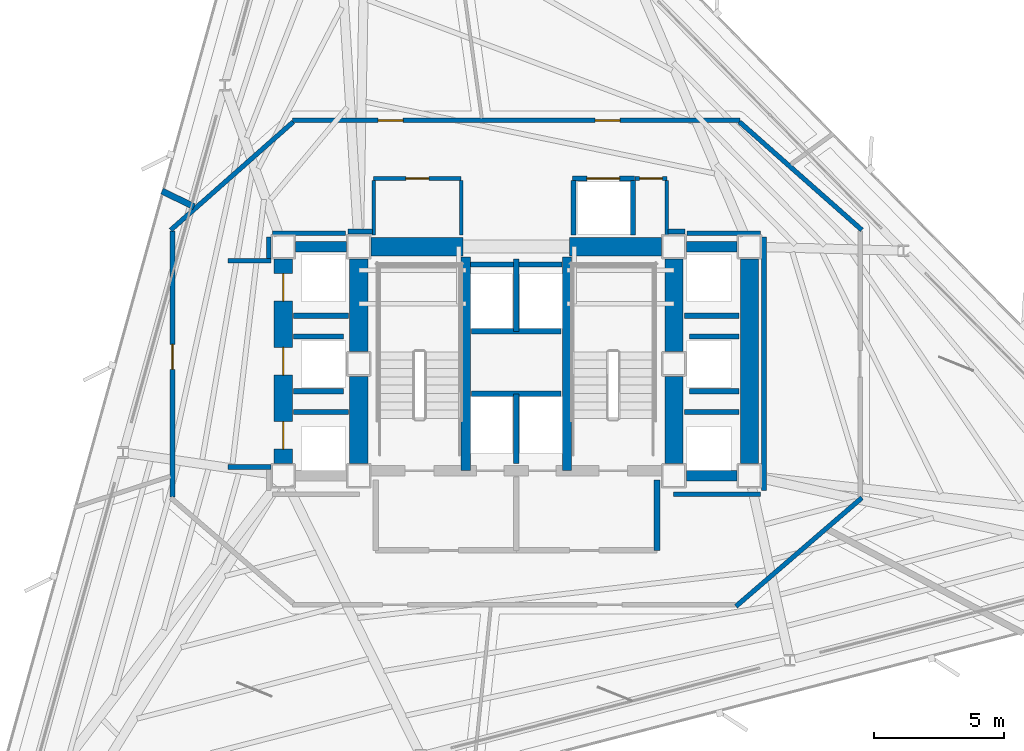
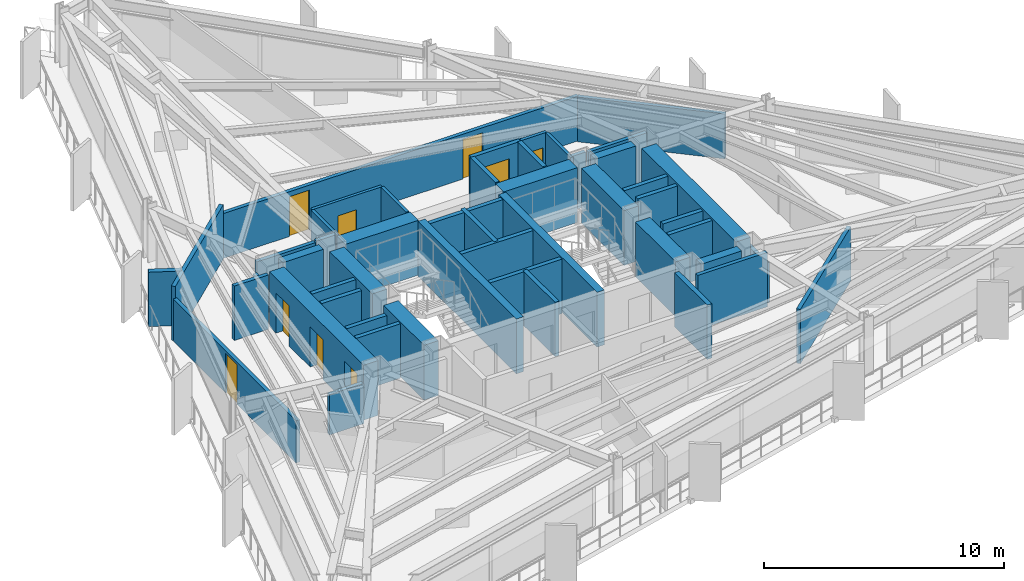
# One storey, part 7 of 11: 50 walls, 9 doors, 9 openings.
"""IFC4 building model written with IfcOpenShell, lengths in metres."""

from ifc_helpers import new_model, si_unit, direction, frame, frame_2d, origin, place, context, subcontext, project, spatial, rectangle, extrude, material, layer, layer_set, type_object, element, fill, save


model = new_model("IFC4")

# Units and contexts
model_context = context("Model", 3, precision=1e-05, world=origin(), true_north=direction((0.0, 1.0)))
body_context = subcontext(model_context, "Body", "Model", "MODEL_VIEW")
ifc_project = project(units=[si_unit("LENGTHUNIT", "METRE"), si_unit("AREAUNIT", "SQUARE_METRE"), si_unit("VOLUMEUNIT", "CUBIC_METRE"), si_unit("PLANEANGLEUNIT", "RADIAN"), si_unit("MASSUNIT", "GRAM", prefix="KILO")], contexts=[model_context])

# Site, building, storey
site_placement = place(None, origin())
site = spatial("IfcSite", under=ifc_project, at=site_placement, CompositionType="ELEMENT")
building_placement = place(site_placement, origin())
building = spatial("IfcBuilding", under=site, at=building_placement, Name="Rocaltana Carrier Exchange", CompositionType="ELEMENT")
storey_placement = place(building_placement, frame((0.0, 0.0, 85.60009765625)))
storey = spatial("IfcBuildingStorey", under=building, at=storey_placement, Name="L26", CompositionType="ELEMENT", Elevation=85.60009765625)

# Walls
ifc_material_1 = material(Name="Concrete C50/60", Category="concrete")
ifc_layer_1 = layer(ifc_material_1, 0.35009765625)
ifc_layer_set_1 = layer_set([ifc_layer_1], Name="Concrete C50/60")
wall_type_1 = type_object("IfcWallType", Name="Core Internal Shear Wall 350", PredefinedType="SHEAR", material=ifc_layer_set_1)
for number, where, z_axis, x_axis, name in (
    (1, (-1.93994140625, -4.10009765625, 0.0), (0.0, 0.0, 1.0), (0.0, 1.0, 0.0), "L26 Core Shear Wall CW-STW"),
    (2, (1.93994140625, -4.10009765625, 0.0), (0.0, 0.0, 1.0), (0.0, 1.0, 0.0), "L26 Core Shear Wall CW-STE"),
):
    element("IfcWall", number, at=place(storey_placement, frame(where, z_axis=z_axis, x_axis=x_axis)), inside=storey, type_object=wall_type_1, Name=name, PredefinedType="SHEAR", context=body_context, shape_type="SweptSolid", body=[
        extrude(rectangle(XDim=8.2001953125, YDim=0.35009765625, at=frame_2d((4.10009765625, 0.0))), origin(), (0.0, 0.0, 1.0), 2.787841796875),
    ])
ifc_material_2 = material(Name="Concrete C50/60", Category="concrete")
ifc_layer_2 = layer(ifc_material_2, 0.39990234375)
ifc_layer_set_2 = layer_set([ifc_layer_2], Name="Concrete C50/60")
wall_type_2 = type_object("IfcWallType", Name="Core Internal Shear Wall 400", PredefinedType="SHEAR", material=ifc_layer_set_2)
for number, where, z_axis, x_axis, name in (
    (3, (-8.47509765625, 4.5, 0.0), (0.0, 0.0, 1.0), (1.0, 0.0, 0.0), "L26 Core Shear Wall CW-WWN"),
    (4, (6.52490234375, 4.5, 0.0), (0.0, 0.0, 1.0), (1.0, 0.0, 0.0), "L26 Core Shear Wall CW-EWN"),
    (5, (6.52490234375, -4.300048828125, 0.0), (0.0, 0.0, 1.0), (1.0, 0.0, 0.0), "L26 Core Shear Wall CW-EWS"),
):
    element("IfcWall", number, at=place(storey_placement, frame(where, z_axis=z_axis, x_axis=x_axis)), inside=storey, type_object=wall_type_2, Name=name, PredefinedType="SHEAR", context=body_context, shape_type="SweptSolid", body=[
        extrude(rectangle(XDim=1.9501953125, YDim=0.39990234375, at=frame_2d((0.97509765625, 0.0))), origin(), (0.0, 0.0, 1.0), 2.787841796875),
    ])
ifc_material_3 = material(Name="Concrete C60/75", Category="concrete")
ifc_layer_3 = layer(ifc_material_3, 0.699951171875)
ifc_layer_set_3 = layer_set([ifc_layer_3], Name="Concrete C60/75")
wall_type_3 = type_object("IfcWallType", Name="Core Shear Wall 700", PredefinedType="SHEAR", material=ifc_layer_set_3)
wall_1_placement = place(storey_placement, frame((-6.050048828125, 0.47509765625, 0.0), z_axis=(0.0, 0.0, 1.0), x_axis=(0.0, 1.0, 0.0)))
element("IfcWall", 6, at=wall_1_placement, inside=storey, type_object=wall_type_3, Name="L26 Core Shear Wall CW-WN", PredefinedType="SHEAR", context=body_context, shape_type="SweptSolid", body=[
    extrude(rectangle(XDim=3.5498046875, YDim=0.699951171875, at=frame_2d((1.77490234375, 0.0))), origin(), (0.0, 0.0, 1.0), 2.787841796875),
])
wall_2_placement = place(storey_placement, frame((-6.050048828125, -3.824951171875, 0.0), z_axis=(0.0, 0.0, 1.0), x_axis=(0.0, 1.0, 0.0)))
element("IfcWall", 7, at=wall_2_placement, inside=storey, type_object=wall_type_3, Name="L26 Core Shear Wall CW-WS", PredefinedType="SHEAR", context=body_context, shape_type="SweptSolid", body=[
    extrude(rectangle(XDim=3.349853515625, YDim=0.699951171875, at=frame_2d((1.6748046875, 0.0))), origin(), (0.0, 0.0, 1.0), 2.787841796875),
])
wall_3_placement = place(storey_placement, frame((6.050048828125, 0.47509765625, 0.0), z_axis=(0.0, 0.0, 1.0), x_axis=(0.0, 1.0, 0.0)))
element("IfcWall", 8, at=wall_3_placement, inside=storey, type_object=wall_type_3, Name="L26 Core Shear Wall CW-EN", PredefinedType="SHEAR", context=body_context, shape_type="SweptSolid", body=[
    extrude(rectangle(XDim=3.5498046875, YDim=0.699951171875, at=frame_2d((1.77490234375, 0.0))), origin(), (0.0, 0.0, 1.0), 2.787841796875),
])
wall_4_placement = place(storey_placement, frame((6.050048828125, -3.824951171875, 0.0), z_axis=(0.0, 0.0, 1.0), x_axis=(0.0, 1.0, 0.0)))
element("IfcWall", 9, at=wall_4_placement, inside=storey, type_object=wall_type_3, Name="L26 Core Shear Wall CW-ES", PredefinedType="SHEAR", context=body_context, shape_type="SweptSolid", body=[
    extrude(rectangle(XDim=3.349853515625, YDim=0.699951171875, at=frame_2d((1.6748046875, 0.0))), origin(), (0.0, 0.0, 1.0), 2.787841796875),
])
for number, where, z_axis, x_axis, name in (
    (10, (-5.574951171875, 4.5, 0.0), (0.0, 0.0, 1.0), (1.0, 0.0, 0.0), "L26 Core Shear Wall CW-N1"),
    (11, (2.050048828125, 4.5, 0.0), (0.0, 0.0, 1.0), (1.0, 0.0, 0.0), "L26 Core Shear Wall CW-N2"),
):
    element("IfcWall", number, at=place(storey_placement, frame(where, z_axis=z_axis, x_axis=x_axis)), inside=storey, type_object=wall_type_3, Name=name, PredefinedType="SHEAR", context=body_context, shape_type="SweptSolid", body=[
        extrude(rectangle(XDim=3.52490234375, YDim=0.699951171875, at=frame_2d((1.762451171875, 0.0))), origin(), (0.0, 0.0, 1.0), 2.787841796875),
    ])

# Wall, openings, doors
wall_5_placement = place(storey_placement, frame((-8.949951171875, -3.824951171875, 0.0), z_axis=(0.0, 0.0, 1.0), x_axis=(0.0, 1.0, 0.0)))
wall_5 = element("IfcWall", 12, at=wall_5_placement, inside=storey, type_object=wall_type_3, Name="L26 Core Shear Wall CW-WW", PredefinedType="SHEAR", context=body_context, shape_type="SweptSolid", body=[
    extrude(rectangle(XDim=7.849853515625, YDim=0.699951171875, at=frame_2d((3.9248046875, 0.0))), origin(), (0.0, 0.0, 1.0), 2.787841796875),
])
opening_1_placement = place(wall_5_placement, frame((0.550048828125, 0.0, 0.0)))
opening_1 = element("IfcOpeningElement", 13, at=opening_1_placement, cuts=wall_5, Name="Opening LD-110", PredefinedType="OPENING", context=body_context, shape_type="SweptSolid", body=[
    extrude(rectangle(XDim=1.06005859375, YDim=2.0400390625, at=frame_2d((0.530029296875, 1.02001953125))), frame((0.0, 0.35986328125, 0.0), z_axis=(0.0, -1.0, 0.0), x_axis=(1.0, 0.0, 0.0)), (0.0, 0.0, 1.0), 0.719970703125),
])
opening_2_placement = place(wall_5_placement, frame((3.39501953125, 0.0, 0.0)))
opening_2 = element("IfcOpeningElement", 14, at=opening_2_placement, cuts=wall_5, Name="Opening LD-110", PredefinedType="OPENING", context=body_context, shape_type="SweptSolid", body=[
    extrude(rectangle(XDim=1.06005859375, YDim=2.0400390625, at=frame_2d((0.530029296875, 1.02001953125))), frame((0.0, 0.35986328125, 0.0), z_axis=(0.0, -1.0, 0.0), x_axis=(1.0, 0.0, 0.0)), (0.0, 0.0, 1.0), 0.719970703125),
])
opening_3_placement = place(wall_5_placement, frame((6.22998046875, 0.0, 0.0)))
opening_3 = element("IfcOpeningElement", 15, at=opening_3_placement, cuts=wall_5, Name="Opening LD-110", PredefinedType="OPENING", context=body_context, shape_type="SweptSolid", body=[
    extrude(rectangle(XDim=1.06005859375, YDim=2.0400390625, at=frame_2d((0.530029296875, 1.02001953125))), frame((0.0, 0.35986328125, 0.0), z_axis=(0.0, -1.0, 0.0), x_axis=(1.0, 0.0, 0.0)), (0.0, 0.0, 1.0), 0.719970703125),
])
ifc_material_4 = material(Name="Brushed Stainless Sliding Door Leaf", Category="steel")
door_type_1 = type_object("IfcDoorType", Name="Lift Landing Sliding Door 1060x2040", OperationType="NOTDEFINED", PredefinedType="DOOR", material=ifc_material_4)
door_1_placement = place(opening_1_placement, origin())
door_1 = element("IfcDoor", 16, at=door_1_placement, inside=storey, type_object=door_type_1, Name="L26 Low-Rise Lift PL-L1 Landing Door", OperationType="SLIDING_TO_LEFT", OverallHeight=2.0400390625, OverallWidth=1.06005859375, PredefinedType="DOOR", context=body_context, shape_type="SweptSolid", body=[
    extrude(rectangle(XDim=1.06005859375, YDim=2.0400390625, at=frame_2d((0.530029296875, 1.02001953125))), frame((0.0, 0.02490234375, 0.0), z_axis=(0.0, -1.0, 0.0), x_axis=(1.0, 0.0, 0.0)), (0.0, 0.0, 1.0), 0.050048828125),
])
fill(opening_1, door_1)
door_2_placement = place(opening_2_placement, origin())
door_2 = element("IfcDoor", 17, at=door_2_placement, inside=storey, type_object=door_type_1, Name="L26 Low-Rise Lift PL-L2 Landing Door", OperationType="SLIDING_TO_RIGHT", OverallHeight=2.0400390625, OverallWidth=1.06005859375, PredefinedType="DOOR", context=body_context, shape_type="SweptSolid", body=[
    extrude(rectangle(XDim=1.06005859375, YDim=2.0400390625, at=frame_2d((0.530029296875, 1.02001953125))), frame((0.0, 0.02490234375, 0.0), z_axis=(0.0, -1.0, 0.0), x_axis=(1.0, 0.0, 0.0)), (0.0, 0.0, 1.0), 0.050048828125),
])
fill(opening_2, door_2)
door_3_placement = place(opening_3_placement, origin())
door_3 = element("IfcDoor", 18, at=door_3_placement, inside=storey, type_object=door_type_1, Name="L26 Low-Rise Lift PL-L3 Landing Door", OperationType="SLIDING_TO_LEFT", OverallHeight=2.0400390625, OverallWidth=1.06005859375, PredefinedType="DOOR", context=body_context, shape_type="SweptSolid", body=[
    extrude(rectangle(XDim=1.06005859375, YDim=2.0400390625, at=frame_2d((0.530029296875, 1.02001953125))), frame((0.0, 0.02490234375, 0.0), z_axis=(0.0, -1.0, 0.0), x_axis=(1.0, 0.0, 0.0)), (0.0, 0.0, 1.0), 0.050048828125),
])
fill(opening_3, door_3)

# Wall
wall_6_placement = place(storey_placement, frame((8.949951171875, -3.824951171875, 0.0), z_axis=(0.0, 0.0, 1.0), x_axis=(0.0, 1.0, 0.0)))
element("IfcWall", 19, at=wall_6_placement, inside=storey, type_object=wall_type_3, Name="L26 Core Shear Wall CW-EW", PredefinedType="SHEAR", context=body_context, shape_type="SweptSolid", body=[
    extrude(rectangle(XDim=7.849853515625, YDim=0.699951171875, at=frame_2d((3.9248046875, 0.0))), origin(), (0.0, 0.0, 1.0), 2.787841796875),
])

# Wall, openings, doors
ifc_material_5 = material(Name="Gypsum & Steel Stud Partition", Category="steel")
ifc_layer_4 = layer(ifc_material_5, 0.179931640625)
ifc_layer_set_4 = layer_set([ifc_layer_4], Name="Gypsum & Steel Stud Partition")
wall_type_4 = type_object("IfcWallType", Name="Corridor Fire Partition 180 EI60", PredefinedType="PARTITIONING", material=ifc_layer_set_4)
wall_7_placement = place(storey_placement, frame((-8.590087890625, 9.35009765625, 0.0), z_axis=(0.0, 0.0, 1.0), x_axis=(1.0, 0.0, 0.0)))
wall_7 = element("IfcWall", 20, at=wall_7_placement, inside=storey, type_object=wall_type_4, Name="L26 Corridor Partition 1", PredefinedType="PARTITIONING", context=body_context, shape_type="SweptSolid", body=[
    extrude(rectangle(XDim=17.18017578125, YDim=0.179931640625, at=frame_2d((8.590087890625, 0.0))), origin(), (0.0, 0.0, 1.0), 2.27685546875),
])
opening_4_placement = place(wall_7_placement, frame((11.6123046875, 0.0, 0.0)))
opening_4 = element("IfcOpeningElement", 21, at=opening_4_placement, cuts=wall_7, Name="Opening D-RM098", PredefinedType="OPENING", context=body_context, shape_type="SweptSolid", body=[
    extrude(rectangle(XDim=0.9599609375, YDim=2.02001953125, at=frame_2d((0.47998046875, 1.010009765625))), frame((0.0, 0.099853515625, 0.0), z_axis=(0.0, -1.0, 0.0), x_axis=(1.0, 0.0, 0.0)), (0.0, 0.0, 1.0), 0.199951171875),
])
opening_5_placement = place(wall_7_placement, frame((3.281982421875, 0.0, 0.0)))
opening_5 = element("IfcOpeningElement", 22, at=opening_5_placement, cuts=wall_7, Name="Opening D-RM098", PredefinedType="OPENING", context=body_context, shape_type="SweptSolid", body=[
    extrude(rectangle(XDim=0.9599609375, YDim=2.02001953125, at=frame_2d((0.47998046875, 1.010009765625))), frame((0.0, 0.099853515625, 0.0), z_axis=(0.0, -1.0, 0.0), x_axis=(1.0, 0.0, 0.0)), (0.0, 0.0, 1.0), 0.199951171875),
])
ifc_material_6 = material(Name="Engineered Hardwood Timber", Category="wood")
door_type_2 = type_object("IfcDoorType", Name="Workspace Single Door 960x2020", OperationType="NOTDEFINED", PredefinedType="DOOR", material=ifc_material_6)
door_4_placement = place(opening_4_placement, origin())
door_4 = element("IfcDoor", 23, at=door_4_placement, inside=storey, type_object=door_type_2, Name="L26 Quiet Focus Lounge Entrance Door", OperationType="SINGLE_SWING_RIGHT", OverallHeight=2.02001953125, OverallWidth=0.9599609375, PredefinedType="DOOR", context=body_context, shape_type="SweptSolid", body=[
    extrude(rectangle(XDim=0.9599609375, YDim=2.02001953125, at=frame_2d((0.47998046875, 1.010009765625))), frame((0.0, 0.02490234375, 0.0), z_axis=(0.0, -1.0, 0.0), x_axis=(1.0, 0.0, 0.0)), (0.0, 0.0, 1.0), 0.050048828125),
])
fill(opening_4, door_4)
door_5_placement = place(opening_5_placement, origin())
door_5 = element("IfcDoor", 24, at=door_5_placement, inside=storey, type_object=door_type_2, Name="L26 Peering Conference Room Entrance Door", OperationType="SINGLE_SWING_LEFT", OverallHeight=2.02001953125, OverallWidth=0.9599609375, PredefinedType="DOOR", context=body_context, shape_type="SweptSolid", body=[
    extrude(rectangle(XDim=0.9599609375, YDim=2.02001953125, at=frame_2d((0.47998046875, 1.010009765625))), frame((0.0, 0.02490234375, 0.0), z_axis=(0.0, -1.0, 0.0), x_axis=(1.0, 0.0, 0.0)), (0.0, 0.0, 1.0), 0.050048828125),
])
fill(opening_5, door_5)

# Walls
wall_8_placement = place(storey_placement, frame((8.5673828125, 9.290283203125, 0.0), z_axis=(0.0, 0.0, 1.0), x_axis=(0.749626463267, -0.66186113768, 0.0)))
element("IfcWall", 25, at=wall_8_placement, inside=storey, type_object=wall_type_4, Name="L26 Corridor Partition 2", PredefinedType="PARTITIONING", context=body_context, shape_type="SweptSolid", body=[
    extrude(rectangle(XDim=6.27001953125, YDim=0.179931640625, at=frame_2d((3.135009765625, 0.0))), origin(), (0.0, 0.0, 1.0), 2.27685546875),
])
wall_9_placement = place(storey_placement, frame((13.268310546875, -5.14111328125, 0.0), z_axis=(0.0, 0.0, 1.0), x_axis=(-0.757534501725, -0.65279512766, 0.0)))
element("IfcWall", 26, at=wall_9_placement, inside=storey, type_object=wall_type_4, Name="L26 Corridor Partition 4", PredefinedType="PARTITIONING", context=body_context, shape_type="SweptSolid", body=[
    extrude(rectangle(XDim=6.384521484375, YDim=0.179931640625, at=frame_2d((3.1923828125, 0.0))), origin(), (0.0, 0.0, 1.0), 2.762939453125),
])

# Wall, opening, door
wall_10_placement = place(storey_placement, frame((-13.199951171875, -5.110107421875, 0.0), z_axis=(0.0, 0.0, 1.0), x_axis=(0.0, 1.0, 0.0)))
wall_10 = element("IfcWall", 27, at=wall_10_placement, inside=storey, type_object=wall_type_4, Name="L26 Corridor Partition 7", PredefinedType="PARTITIONING", context=body_context, shape_type="SweptSolid", body=[
    extrude(rectangle(XDim=10.22021484375, YDim=0.179931640625, at=frame_2d((5.110107421875, 0.0))), origin(), (0.0, 0.0, 1.0), 2.142822265625),
])
opening_6_placement = place(wall_10_placement, frame((4.898681640625, 0.0, 0.0)))
opening_6 = element("IfcOpeningElement", 28, at=opening_6_placement, cuts=wall_10, Name="Opening D-RM098", PredefinedType="OPENING", context=body_context, shape_type="SweptSolid", body=[
    extrude(rectangle(XDim=0.9599609375, YDim=2.02001953125, at=frame_2d((0.47998046875, 1.010009765625))), frame((0.0, 0.099853515625, 0.0), z_axis=(0.0, -1.0, 0.0), x_axis=(1.0, 0.0, 0.0)), (0.0, 0.0, 1.0), 0.199951171875),
])
door_6_placement = place(opening_6_placement, origin())
door_6 = element("IfcDoor", 29, at=door_6_placement, inside=storey, type_object=door_type_2, Name="L26 Quiet Focus Lounge Entrance Door", OperationType="SINGLE_SWING_RIGHT", OverallHeight=2.02001953125, OverallWidth=0.9599609375, PredefinedType="DOOR", context=body_context, shape_type="SweptSolid", body=[
    extrude(rectangle(XDim=0.9599609375, YDim=2.02001953125, at=frame_2d((0.47998046875, 1.010009765625))), frame((0.0, 0.02490234375, 0.0), z_axis=(0.0, -1.0, 0.0), x_axis=(1.0, 0.0, 0.0)), (0.0, 0.0, 1.0), 0.050048828125),
])
fill(opening_6, door_6)

# Walls
wall_11_placement = place(storey_placement, frame((-13.267578125, 5.140380859375, 0.0), z_axis=(0.0, 0.0, 1.0), x_axis=(0.749626463267, 0.66186113768, 0.0)))
element("IfcWall", 30, at=wall_11_placement, inside=storey, type_object=wall_type_4, Name="L26 Corridor Partition 8", PredefinedType="PARTITIONING", context=body_context, shape_type="SweptSolid", body=[
    extrude(rectangle(XDim=6.27001953125, YDim=0.179931640625, at=frame_2d((3.135009765625, 0.0))), origin(), (0.0, 0.0, 1.0), 2.762939453125),
])
wall_12_placement = place(storey_placement, frame((-9.510009765625, 4.8701171875, 0.0), z_axis=(0.0, 0.0, 1.0), x_axis=(0.0, -1.0, 0.0)))
element("IfcWall", 31, at=wall_12_placement, inside=storey, type_object=wall_type_4, Name="L26 Corridor Partition 9", PredefinedType="PARTITIONING", context=body_context, shape_type="SweptSolid", body=[
    extrude(rectangle(XDim=0.820068359375, YDim=0.179931640625, at=frame_2d((0.41015625, 0.0))), origin(), (0.0, 0.0, 1.0), 2.27685546875),
])
wall_13_placement = place(storey_placement, frame((-9.419921875, 3.9599609375, 0.0), z_axis=(0.0, 0.0, 1.0), x_axis=(-1.0, 0.0, 0.0)))
element("IfcWall", 32, at=wall_13_placement, inside=storey, type_object=wall_type_4, Name="L26 Corridor Partition 10", PredefinedType="PARTITIONING", context=body_context, shape_type="SweptSolid", body=[
    extrude(rectangle(XDim=1.650146484375, YDim=0.179931640625, at=frame_2d((0.8251953125, 0.0))), origin(), (0.0, 0.0, 1.0), 2.762939453125),
])
wall_14_placement = place(storey_placement, frame((-11.070068359375, -3.9599609375, 0.0), z_axis=(0.0, 0.0, 1.0), x_axis=(1.0, 0.0, 0.0)))
element("IfcWall", 33, at=wall_14_placement, inside=storey, type_object=wall_type_4, Name="L26 Corridor Partition 11", PredefinedType="PARTITIONING", context=body_context, shape_type="SweptSolid", body=[
    extrude(rectangle(XDim=1.650146484375, YDim=0.179931640625, at=frame_2d((0.8251953125, 0.0))), origin(), (0.0, 0.0, 1.0), 2.0478515625),
])
wall_15_placement = place(storey_placement, frame((6.030029296875, -5.010009765625, 0.0), z_axis=(0.0, 0.0, 1.0), x_axis=(1.0, 0.0, 0.0)))
element("IfcWall", 34, at=wall_15_placement, inside=storey, type_object=wall_type_4, Name="L26 Corridor Partition 16", PredefinedType="PARTITIONING", context=body_context, shape_type="SweptSolid", body=[
    extrude(rectangle(XDim=3.340087890625, YDim=0.179931640625, at=frame_2d((1.669921875, 0.0))), origin(), (0.0, 0.0, 1.0), 2.762939453125),
])
wall_16_placement = place(storey_placement, frame((9.510009765625, -4.8701171875, 0.0), z_axis=(0.0, 0.0, 1.0), x_axis=(0.0, 1.0, 0.0)))
element("IfcWall", 35, at=wall_16_placement, inside=storey, type_object=wall_type_4, Name="L26 Corridor Partition 17", PredefinedType="PARTITIONING", context=body_context, shape_type="SweptSolid", body=[
    extrude(rectangle(XDim=9.740234375, YDim=0.179931640625, at=frame_2d((4.8701171875, 0.0))), origin(), (0.0, 0.0, 1.0), 2.0478515625),
])
wall_17_placement = place(storey_placement, frame((9.3701171875, 5.010009765625, 0.0), z_axis=(0.0, 0.0, 1.0), x_axis=(-1.0, 0.0, 0.0)))
element("IfcWall", 36, at=wall_17_placement, inside=storey, type_object=wall_type_4, Name="L26 Corridor Partition 18", PredefinedType="PARTITIONING", context=body_context, shape_type="SweptSolid", body=[
    extrude(rectangle(XDim=2.807861328125, YDim=0.179931640625, at=frame_2d((1.40380859375, 0.0))), origin(), (0.0, 0.0, 1.0), 2.762939453125),
])
wall_18_placement = place(storey_placement, frame((6.469970703125, 5.080078125, 0.0), z_axis=(0.0, 0.0, 1.0), x_axis=(-1.0, 0.0, 0.0)))
element("IfcWall", 37, at=wall_18_placement, inside=storey, type_object=wall_type_4, Name="L26 Corridor Partition 19", PredefinedType="PARTITIONING", context=body_context, shape_type="SweptSolid", body=[
    extrude(rectangle(XDim=0.64990234375, YDim=0.179931640625, at=frame_2d((0.324951171875, 0.0))), origin(), (0.0, 0.0, 1.0), 2.762939453125),
])
wall_19_placement = place(storey_placement, frame((-5.52001953125, 5.080078125, 0.0), z_axis=(0.0, 0.0, 1.0), x_axis=(-1.0, 0.0, 0.0)))
element("IfcWall", 38, at=wall_19_placement, inside=storey, type_object=wall_type_4, Name="L26 Corridor Partition 22", PredefinedType="PARTITIONING", context=body_context, shape_type="SweptSolid", body=[
    extrude(rectangle(XDim=0.949951171875, YDim=0.179931640625, at=frame_2d((0.47509765625, 0.0))), origin(), (0.0, 0.0, 1.0), 2.762939453125),
])
wall_20_placement = place(storey_placement, frame((-6.562255859375, 5.010009765625, 0.0), z_axis=(0.0, 0.0, 1.0), x_axis=(-1.0, 0.0, 0.0)))
element("IfcWall", 39, at=wall_20_placement, inside=storey, type_object=wall_type_4, Name="L26 Corridor Partition 23", PredefinedType="PARTITIONING", context=body_context, shape_type="SweptSolid", body=[
    extrude(rectangle(XDim=2.807861328125, YDim=0.179931640625, at=frame_2d((1.40380859375, 0.0))), origin(), (0.0, 0.0, 1.0), 2.762939453125),
])
ifc_material_7 = material(Name="Autoclaved Aerated Concrete C30/37", Category="concrete")
ifc_layer_5 = layer(ifc_material_7, 0.219970703125)
ifc_layer_set_5 = layer_set([ifc_layer_5], Name="Autoclaved Aerated Concrete C30/37")
wall_type_5 = type_object("IfcWallType", Name="Firefighting Lobby Wall 220 EI120", PredefinedType="PARTITIONING", material=ifc_layer_set_5)
wall_21_placement = place(storey_placement, frame((5.39990234375, -7.159912109375, 0.0), z_axis=(0.0, 0.0, 1.0), x_axis=(0.0, 1.0, 0.0)))
element("IfcWall", 40, at=wall_21_placement, inside=storey, type_object=wall_type_5, Name="L26 FFL Lobby 2 East Wall", PredefinedType="PARTITIONING", context=body_context, shape_type="SweptSolid", body=[
    extrude(rectangle(XDim=2.7099609375, YDim=0.219970703125, at=frame_2d((1.35498046875, 0.0))), origin(), (0.0, 0.0, 1.0), 2.762939453125),
])
ifc_material_8 = material(Name="Acoustic Calcium Silicate Partition", Category="gypsum")
ifc_layer_6 = layer(ifc_material_8, 0.239990234375)
ifc_layer_set_6 = layer_set([ifc_layer_6], Name="Acoustic Calcium Silicate Partition")
wall_type_6 = type_object("IfcWallType", Name="Heavy Lab Partition 240 EI90", PredefinedType="PARTITIONING", material=ifc_layer_set_6)
wall_22_placement = place(storey_placement, frame((-12.37451171875, 6.035400390625, 0.0), z_axis=(0.0, 0.0, 1.0), x_axis=(-0.89872908745, 0.438504307129, 0.0)))
element("IfcWall", 41, at=wall_22_placement, inside=storey, type_object=wall_type_6, Name="L26 Suite Divider Wall D6", PredefinedType="PARTITIONING", context=body_context, shape_type="SweptSolid", body=[
    extrude(rectangle(XDim=1.371337890625, YDim=0.239990234375, at=frame_2d((0.685546875, 0.0))), origin(), (0.0, 0.0, 1.0), 2.762939453125),
])
ifc_material_9 = material(Name="Reinforced Concrete Block C35/45", Category="concrete")
ifc_layer_7 = layer(ifc_material_9, 0.199951171875)
ifc_layer_set_7 = layer_set([ifc_layer_7], Name="Reinforced Concrete Block C35/45")
wall_type_7 = type_object("IfcWallType", Name="Lift Hoistway Enclosure Wall 200 EI120", PredefinedType="PARTITIONING", material=ifc_layer_set_7)
wall_23_placement = place(storey_placement, frame((0.0, -3.820068359375, 0.0), z_axis=(0.0, 0.0, 1.0), x_axis=(0.0, 1.0, 0.0)))
element("IfcWall", 42, at=wall_23_placement, inside=storey, type_object=wall_type_7, Name="L26 FFL Shaft Divider", PredefinedType="PARTITIONING", context=body_context, shape_type="SweptSolid", body=[
    extrude(rectangle(XDim=2.670166015625, YDim=0.199951171875, at=frame_2d((1.3349609375, 0.0))), origin(), (0.0, 0.0, 1.0), 2.762939453125),
])
wall_24_placement = place(storey_placement, frame((-1.719970703125, -1.14990234375, 0.0), z_axis=(0.0, 0.0, 1.0), x_axis=(1.0, 0.0, 0.0)))
element("IfcWall", 43, at=wall_24_placement, inside=storey, type_object=wall_type_7, Name="L26 FFL Shaft Back Wall", PredefinedType="PARTITIONING", context=body_context, shape_type="SweptSolid", body=[
    extrude(rectangle(XDim=3.43994140625, YDim=0.199951171875, at=frame_2d((1.719970703125, 0.0))), origin(), (0.0, 0.0, 1.0), 2.762939453125),
])
wall_25_placement = place(storey_placement, frame((0.0, 1.25, 0.0), z_axis=(0.0, 0.0, 1.0), x_axis=(0.0, 1.0, 0.0)))
element("IfcWall", 44, at=wall_25_placement, inside=storey, type_object=wall_type_7, Name="L26 High-Rise Shaft Divider", PredefinedType="PARTITIONING", context=body_context, shape_type="SweptSolid", body=[
    extrude(rectangle(XDim=2.77001953125, YDim=0.199951171875, at=frame_2d((1.385009765625, 0.0))), origin(), (0.0, 0.0, 1.0), 2.762939453125),
])
wall_26_placement = place(storey_placement, frame((-1.719970703125, 1.25, 0.0), z_axis=(0.0, 0.0, 1.0), x_axis=(1.0, 0.0, 0.0)))
element("IfcWall", 45, at=wall_26_placement, inside=storey, type_object=wall_type_7, Name="L26 High-Rise Shaft Back Wall", PredefinedType="PARTITIONING", context=body_context, shape_type="SweptSolid", body=[
    extrude(rectangle(XDim=3.43994140625, YDim=0.199951171875, at=frame_2d((1.719970703125, 0.0))), origin(), (0.0, 0.0, 1.0), 2.762939453125),
])
wall_27_placement = place(storey_placement, frame((-1.760009765625, 3.820068359375, 0.0), z_axis=(0.0, 0.0, 1.0), x_axis=(1.0, 0.0, 0.0)))
element("IfcWall", 46, at=wall_27_placement, inside=storey, type_object=wall_type_7, Name="L26 High-Rise Lift Front Wall", PredefinedType="PARTITIONING", context=body_context, shape_type="SweptSolid", body=[
    extrude(rectangle(XDim=3.52001953125, YDim=0.199951171875, at=frame_2d((1.760009765625, 0.0))), origin(), (0.0, 0.0, 1.0), 2.762939453125),
])
for number, where, z_axis, x_axis, name in (
    (47, (2.199951171875, 4.949951171875, 0.0), (0.0, 0.0, 1.0), (0.0, 1.0, 0.0), "L26 Goods Lift West Wall"),
    (48, (4.47998046875, 4.949951171875, 0.0), (0.0, 0.0, 1.0), (0.0, 1.0, 0.0), "L26 Goods Lift East Wall"),
):
    element("IfcWall", number, at=place(storey_placement, frame(where, z_axis=z_axis, x_axis=x_axis)), inside=storey, type_object=wall_type_7, Name=name, PredefinedType="PARTITIONING", context=body_context, shape_type="SweptSolid", body=[
        extrude(rectangle(XDim=2.10009765625, YDim=0.199951171875, at=frame_2d((1.050048828125, 0.0))), origin(), (0.0, 0.0, 1.0), 2.762939453125),
    ])

# Wall, opening, door
wall_28_placement = place(storey_placement, frame((2.14990234375, 7.1201171875, 0.0), z_axis=(0.0, 0.0, 1.0), x_axis=(1.0, 0.0, 0.0)))
wall_28 = element("IfcWall", 49, at=wall_28_placement, inside=storey, type_object=wall_type_7, Name="L26 Goods Lift Front Wall", PredefinedType="PARTITIONING", context=body_context, shape_type="SweptSolid", body=[
    extrude(rectangle(XDim=2.380126953125, YDim=0.199951171875, at=frame_2d((1.18994140625, 0.0))), origin(), (0.0, 0.0, 1.0), 2.762939453125),
])
opening_7_placement = place(wall_28_placement, frame((0.56005859375, 0.0, 0.0)))
opening_7 = element("IfcOpeningElement", 50, at=opening_7_placement, cuts=wall_28, Name="Opening LD-130", PredefinedType="OPENING", context=body_context, shape_type="SweptSolid", body=[
    extrude(rectangle(XDim=1.260009765625, YDim=2.06005859375, at=frame_2d((0.6298828125, 1.030029296875))), frame((0.0, 0.10986328125, 0.0), z_axis=(0.0, -1.0, 0.0), x_axis=(1.0, 0.0, 0.0)), (0.0, 0.0, 1.0), 0.219970703125),
])
ifc_material_10 = material(Name="Brushed Stainless Sliding Door Leaf", Category="steel")
door_type_3 = type_object("IfcDoorType", Name="Goods Lift Landing Sliding Door 1260x2060", OperationType="NOTDEFINED", PredefinedType="DOOR", material=ifc_material_10)
door_7_placement = place(opening_7_placement, origin())
door_7 = element("IfcDoor", 51, at=door_7_placement, inside=storey, type_object=door_type_3, Name="L26 Goods Lift GL-1 Landing Door", OperationType="SLIDING_TO_LEFT", OverallHeight=2.06005859375, OverallWidth=1.260009765625, PredefinedType="DOOR", context=body_context, shape_type="SweptSolid", body=[
    extrude(rectangle(XDim=1.260009765625, YDim=2.06005859375, at=frame_2d((0.6298828125, 1.030029296875))), frame((0.0, 0.02490234375, 0.0), z_axis=(0.0, -1.0, 0.0), x_axis=(1.0, 0.0, 0.0)), (0.0, 0.0, 1.0), 0.050048828125),
])
fill(opening_7, door_7)

# Walls
for number, where, z_axis, x_axis, name in (
    (52, (-8.550048828125, -1.85009765625, 0.0), (0.0, 0.0, 1.0), (1.0, 0.0, 0.0), "L26 Low-Rise Shaft Divider 1"),
    (53, (-8.550048828125, 1.85009765625, 0.0), (0.0, 0.0, 1.0), (1.0, 0.0, 0.0), "L26 Low-Rise Shaft Divider 2"),
):
    element("IfcWall", number, at=place(storey_placement, frame(where, z_axis=z_axis, x_axis=x_axis)), inside=storey, type_object=wall_type_7, Name=name, PredefinedType="PARTITIONING", context=body_context, shape_type="SweptSolid", body=[
        extrude(rectangle(XDim=2.10009765625, YDim=0.199951171875, at=frame_2d((1.050048828125, 0.0))), origin(), (0.0, 0.0, 1.0), 2.762939453125),
    ])
for number, where, z_axis, x_axis, name in (
    (54, (-8.550048828125, -1.050048828125, 0.0), (0.0, 0.0, 1.0), (1.0, 0.0, 0.0), "L26 Low-Rise Center Shaft Wall South"),
    (55, (-8.550048828125, 1.050048828125, 0.0), (0.0, 0.0, 1.0), (1.0, 0.0, 0.0), "L26 Low-Rise Center Shaft Wall North"),
):
    element("IfcWall", number, at=place(storey_placement, frame(where, z_axis=z_axis, x_axis=x_axis)), inside=storey, type_object=wall_type_7, Name=name, PredefinedType="PARTITIONING", context=body_context, shape_type="SweptSolid", body=[
        extrude(rectangle(XDim=1.91015625, YDim=0.199951171875, at=frame_2d((0.955078125, 0.0))), origin(), (0.0, 0.0, 1.0), 2.762939453125),
    ])
for number, where, z_axis, x_axis, name in (
    (56, (6.449951171875, -1.85009765625, 0.0), (0.0, 0.0, 1.0), (1.0, 0.0, 0.0), "L26 Mid-Rise Shaft Divider 1"),
    (57, (6.449951171875, 1.85009765625, 0.0), (0.0, 0.0, 1.0), (1.0, 0.0, 0.0), "L26 Mid-Rise Shaft Divider 2"),
):
    element("IfcWall", number, at=place(storey_placement, frame(where, z_axis=z_axis, x_axis=x_axis)), inside=storey, type_object=wall_type_7, Name=name, PredefinedType="PARTITIONING", context=body_context, shape_type="SweptSolid", body=[
        extrude(rectangle(XDim=2.10009765625, YDim=0.199951171875, at=frame_2d((1.050048828125, 0.0))), origin(), (0.0, 0.0, 1.0), 2.762939453125),
    ])
for number, where, z_axis, x_axis, name in (
    (58, (6.639892578125, -1.050048828125, 0.0), (0.0, 0.0, 1.0), (1.0, 0.0, 0.0), "L26 Mid-Rise Center Shaft Wall South"),
    (59, (6.639892578125, 1.050048828125, 0.0), (0.0, 0.0, 1.0), (1.0, 0.0, 0.0), "L26 Mid-Rise Center Shaft Wall North"),
):
    element("IfcWall", number, at=place(storey_placement, frame(where, z_axis=z_axis, x_axis=x_axis)), inside=storey, type_object=wall_type_7, Name=name, PredefinedType="PARTITIONING", context=body_context, shape_type="SweptSolid", body=[
        extrude(rectangle(XDim=1.91015625, YDim=0.199951171875, at=frame_2d((0.955078125, 0.0))), origin(), (0.0, 0.0, 1.0), 2.762939453125),
    ])
ifc_material_11 = material(Name="Moisture-Resistant Masonry C30/37", Category="masonry")
ifc_layer_8 = layer(ifc_material_11, 0.139892578125)
ifc_layer_set_8 = layer_set([ifc_layer_8], Name="Moisture-Resistant Masonry C30/37")
wall_type_8 = type_object("IfcWallType", Name="Wet-Area Sanitary Partition 140", PredefinedType="PARTITIONING", material=ifc_layer_set_8)
for number, where, z_axis, x_axis, name in (
    (60, (-5.47998046875, 4.949951171875, 0.0), (0.0, 0.0, 1.0), (0.0, 1.0, 0.0), "L26 Sanitary West Wall"),
    (61, (-2.1201171875, 4.949951171875, 0.0), (0.0, 0.0, 1.0), (0.0, 1.0, 0.0), "L26 Sanitary East Wall"),
):
    element("IfcWall", number, at=place(storey_placement, frame(where, z_axis=z_axis, x_axis=x_axis)), inside=storey, type_object=wall_type_8, Name=name, PredefinedType="PARTITIONING", context=body_context, shape_type="SweptSolid", body=[
        extrude(rectangle(XDim=2.10009765625, YDim=0.139892578125, at=frame_2d((1.050048828125, 0.0))), origin(), (0.0, 0.0, 1.0), 2.762939453125),
    ])

# Wall, opening, door
wall_29_placement = place(storey_placement, frame((-5.47998046875, 7.1201171875, 0.0), z_axis=(0.0, 0.0, 1.0), x_axis=(1.0, 0.0, 0.0)))
wall_29 = element("IfcWall", 62, at=wall_29_placement, inside=storey, type_object=wall_type_8, Name="L26 Sanitary North Wall", PredefinedType="PARTITIONING", context=body_context, shape_type="SweptSolid", body=[
    extrude(rectangle(XDim=3.35986328125, YDim=0.139892578125, at=frame_2d((1.679931640625, 0.0))), origin(), (0.0, 0.0, 1.0), 2.762939453125),
])
opening_8_placement = place(wall_29_placement, frame((1.239990234375, 0.0, 0.0)))
opening_8 = element("IfcOpeningElement", 63, at=opening_8_placement, cuts=wall_29, Name="Opening D-WC090", PredefinedType="OPENING", context=body_context, shape_type="SweptSolid", body=[
    extrude(rectangle(XDim=0.8798828125, YDim=2.02001953125, at=frame_2d((0.43994140625, 1.010009765625))), frame((0.0, 0.079833984375, 0.0), z_axis=(0.0, -1.0, 0.0), x_axis=(1.0, 0.0, 0.0)), (0.0, 0.0, 1.0), 0.159912109375),
])
ifc_material_12 = material(Name="High-Pressure Laminate Timber", Category="wood")
door_type_4 = type_object("IfcDoorType", Name="Restroom & Accessible WC Door 880x2020", OperationType="NOTDEFINED", PredefinedType="DOOR", material=ifc_material_12)
door_8_placement = place(opening_8_placement, origin())
door_8 = element("IfcDoor", 64, at=door_8_placement, inside=storey, type_object=door_type_4, Name="L26 Accessible Toilet Door", OperationType="SINGLE_SWING_RIGHT", OverallHeight=2.02001953125, OverallWidth=0.8798828125, PredefinedType="DOOR", context=body_context, shape_type="SweptSolid", body=[
    extrude(rectangle(XDim=0.8798828125, YDim=2.02001953125, at=frame_2d((0.43994140625, 1.010009765625))), frame((0.0, 0.02490234375, 0.0), z_axis=(0.0, -1.0, 0.0), x_axis=(1.0, 0.0, 0.0)), (0.0, 0.0, 1.0), 0.050048828125),
])
fill(opening_8, door_8)

# Wall
wall_30_placement = place(storey_placement, frame((5.780029296875, 4.949951171875, 0.0), z_axis=(0.0, 0.0, 1.0), x_axis=(0.0, 1.0, 0.0)))
element("IfcWall", 65, at=wall_30_placement, inside=storey, type_object=wall_type_8, Name="L26 Restroom East Wall", PredefinedType="PARTITIONING", context=body_context, shape_type="SweptSolid", body=[
    extrude(rectangle(XDim=2.10009765625, YDim=0.139892578125, at=frame_2d((1.050048828125, 0.0))), origin(), (0.0, 0.0, 1.0), 2.762939453125),
])

# Wall, opening, door
wall_31_placement = place(storey_placement, frame((4.56005859375, 7.1201171875, 0.0), z_axis=(0.0, 0.0, 1.0), x_axis=(1.0, 0.0, 0.0)))
wall_31 = element("IfcWall", 66, at=wall_31_placement, inside=storey, type_object=wall_type_8, Name="L26 Restroom North Wall", PredefinedType="PARTITIONING", context=body_context, shape_type="SweptSolid", body=[
    extrude(rectangle(XDim=1.219970703125, YDim=0.139892578125, at=frame_2d((0.60986328125, 0.0))), origin(), (0.0, 0.0, 1.0), 2.762939453125),
])
opening_9_placement = place(wall_31_placement, frame((0.169921875, 0.0, 0.0)))
opening_9 = element("IfcOpeningElement", 67, at=opening_9_placement, cuts=wall_31, Name="Opening D-WC090", PredefinedType="OPENING", context=body_context, shape_type="SweptSolid", body=[
    extrude(rectangle(XDim=0.8798828125, YDim=2.02001953125, at=frame_2d((0.43994140625, 1.010009765625))), frame((0.0, 0.079833984375, 0.0), z_axis=(0.0, -1.0, 0.0), x_axis=(1.0, 0.0, 0.0)), (0.0, 0.0, 1.0), 0.159912109375),
])
door_9_placement = place(opening_9_placement, origin())
door_9 = element("IfcDoor", 68, at=door_9_placement, inside=storey, type_object=door_type_4, Name="L26 Staff Restroom Door", OperationType="SINGLE_SWING_LEFT", OverallHeight=2.02001953125, OverallWidth=0.8798828125, PredefinedType="DOOR", context=body_context, shape_type="SweptSolid", body=[
    extrude(rectangle(XDim=0.8798828125, YDim=2.02001953125, at=frame_2d((0.43994140625, 1.010009765625))), frame((0.0, 0.02490234375, 0.0), z_axis=(0.0, -1.0, 0.0), x_axis=(1.0, 0.0, 0.0)), (0.0, 0.0, 1.0), 0.050048828125),
])
fill(opening_9, door_9)

save(model, "model.ifc")
